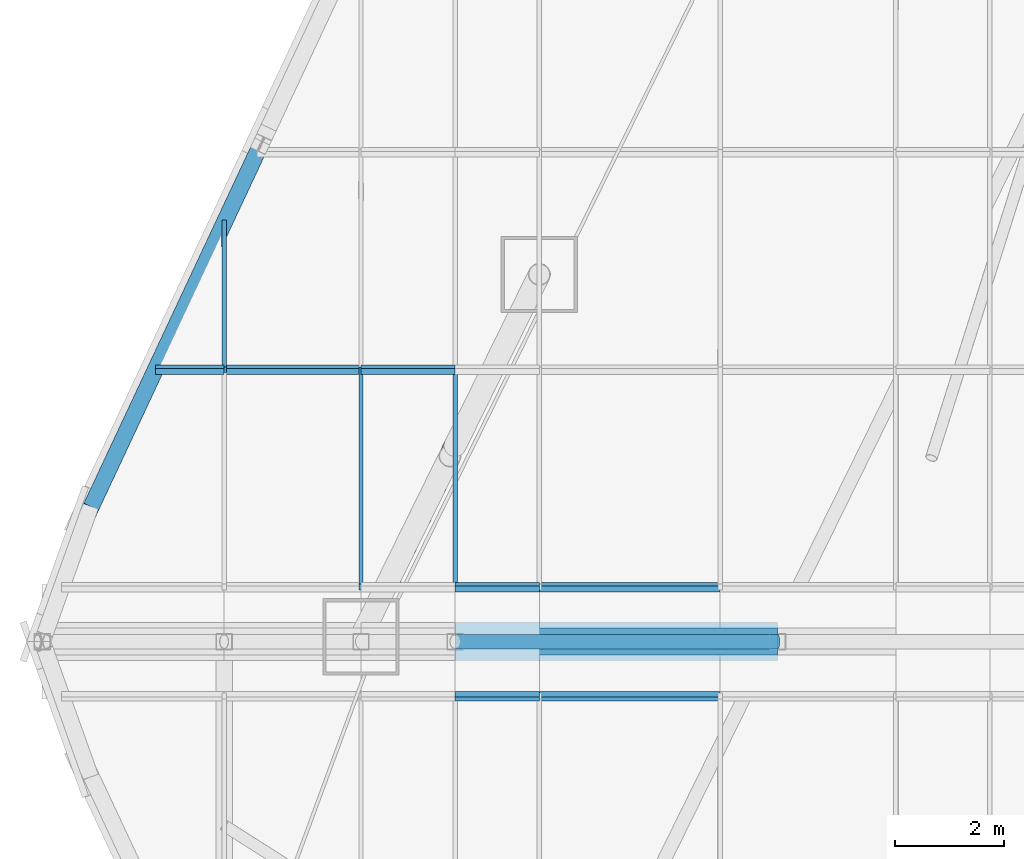
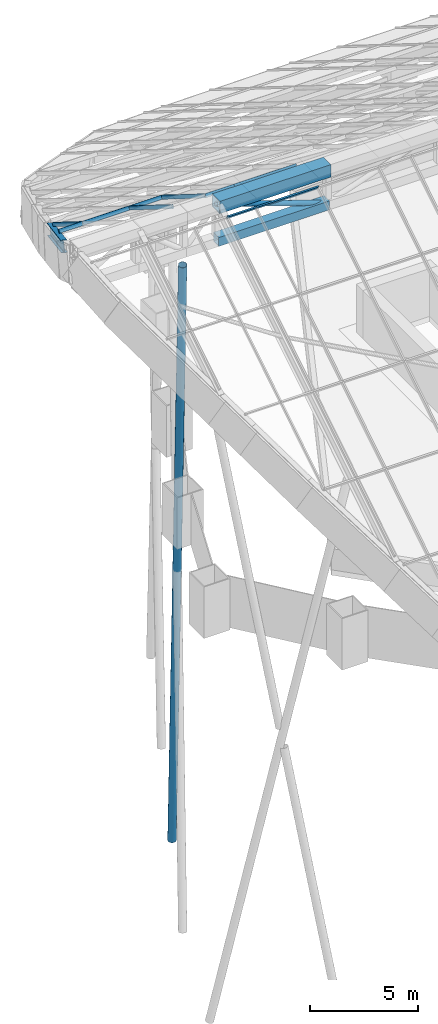
# One storey, part 11 of 38: 15 members, 8 elements without a shape of their own.
"""IFC4 building model written with IfcOpenShell, lengths in metres."""

from ifc_helpers import new_model, si_unit, direction, frame, origin, origin_2d, place, context, subcontext, project, spatial, rectangle, hollow_rectangle, hollow_circle, i_section, extrude, material, layer, layer_set, material_profile, profile_set, type_object, element, aggregate, save


model = new_model("IFC4")

# Units and contexts
model_context = context("Model", 3, precision=1e-05, world=origin(), true_north=direction((0.0, 1.0)))
body_context = subcontext(model_context, "Body", "Model", "MODEL_VIEW")
ifc_project = project(units=[si_unit("LENGTHUNIT", "METRE"), si_unit("AREAUNIT", "SQUARE_METRE"), si_unit("VOLUMEUNIT", "CUBIC_METRE"), si_unit("PLANEANGLEUNIT", "RADIAN"), si_unit("MASSUNIT", "GRAM", prefix="KILO")], contexts=[model_context])

# Site, building, storey
site_placement = place(None, origin())
site = spatial("IfcSite", under=ifc_project, at=site_placement, CompositionType="ELEMENT")
building_placement = place(site_placement, origin())
building = spatial("IfcBuilding", under=site, at=building_placement, Name="Dongbaek Canopy Tower", CompositionType="ELEMENT")
storey_placement = place(building_placement, frame((0.0, 0.0, 375.800048828125)))
storey = spatial("IfcBuildingStorey", under=building, at=storey_placement, Name="Roof", CompositionType="ELEMENT", Elevation=375.800048828125)

# Member
ifc_material_1 = material(Name="Steel S355", Category="steel")
ifc_material_profile_1 = material_profile(ifc_material_1, hollow_circle(Radius=0.203125, WallThickness=0.0126953125, at=origin_2d()), Name="COLONNADE BRACE CHS 406.4x12.7 Steel S355")
ifc_profile_set_1 = profile_set([ifc_material_profile_1], Name="Steel S355")
member_type_1 = type_object("IfcMemberType", Name="COLONNADE BRACE CHS 406.4x12.7 Steel S355", PredefinedType="BRACE", material=ifc_profile_set_1)
member_1_placement = place(storey_placement, frame((-25.346923828125, 6.735107421875, -22.199951171875), z_axis=(-0.08537852158, -0.173606393551, 0.981107195046), x_axis=(0.897353388577, -0.441312696406, 0.0)))
element("IfcMember", 1, at=member_1_placement, inside=storey, type_object=member_type_1, Name="XBRACE:24:0", PredefinedType="BRACE", context=body_context, shape_type="SweptSolid", body=[
    extrude(hollow_circle(Radius=0.203125, WallThickness=0.0126953125, at=origin_2d()), origin(), (0.0, 0.0, 1.0), 38.30029296875),
])

# Curtain wall, member
ifc_material_2 = material(Name="Aluminium 6063-T6 pale anodised", Category="aluminium")
ifc_layer = layer(ifc_material_2, 0.199951171875)
ifc_layer_set = layer_set([ifc_layer], Name="CW-6 canopy glazing curtain wall")
curtain_wall_type = type_object("IfcCurtainWallType", Name="CW-6 canopy glazing curtain wall", PredefinedType="NOTDEFINED", material=ifc_layer_set)
curtain_wall_1_placement = place(storey_placement, origin())
curtain_wall_1 = element("IfcCurtainWall", 2, at=curtain_wall_1_placement, inside=storey, type_object=curtain_wall_type, Name="CW-6 canopy glazing north 1.2", PredefinedType="NOTDEFINED")
ifc_material_3 = material(Name="Aluminium 6063-T6 pale anodised", Category="aluminium")
ifc_material_profile_2 = material_profile(ifc_material_3, rectangle(XDim=0.080078125, YDim=0.199951171875, at=origin_2d()), Name="CW-6 mullion 80 x 200")
ifc_profile_set_2 = profile_set([ifc_material_profile_2], Name="Aluminium 6063-T6 pale anodised")
member_type_2 = type_object("IfcMemberType", Name="CW-6 mullion 80 x 200", PredefinedType="MULLION", material=ifc_profile_set_2)
member_2_placement = place(storey_placement, frame((-31.12890625, 4.986328125, 15.60791015625), z_axis=(0.0, 0.848045809732, -0.52992292326), x_axis=(-1.0, 0.0, 0.0)))
member_2 = element("IfcMember", 3, at=member_2_placement, type_object=member_type_2, Name="CW-6 mullion N1.2.-31.1", PredefinedType="MULLION", context=body_context, shape_type="SweptSolid", body=[
    extrude(rectangle(XDim=0.080078125, YDim=0.199951171875, at=origin_2d()), origin(), (0.0, 0.0, 1.0), 3.17578125),
])
aggregate(curtain_wall_1, [member_2])

curtain_wall_2_placement = place(storey_placement, origin())
curtain_wall_2 = element("IfcCurtainWall", 4, at=curtain_wall_2_placement, inside=storey, type_object=curtain_wall_type, Name="CW-6 canopy glazing north 2.1", PredefinedType="NOTDEFINED")
member_3_placement = place(storey_placement, frame((-28.616943359375, 1.0, 18.0986328125), z_axis=(0.0, 0.848068327403, -0.529886886095), x_axis=(-1.0, 0.0, 0.0)))
member_3 = element("IfcMember", 5, at=member_3_placement, type_object=member_type_2, Name="CW-6 mullion N2.1.-28.6", PredefinedType="MULLION", context=body_context, shape_type="SweptSolid", body=[
    extrude(rectangle(XDim=0.080078125, YDim=0.199951171875, at=origin_2d()), origin(), (0.0, 0.0, 1.0), 4.700439453125),
])

curtain_wall_3_placement = place(storey_placement, origin())
curtain_wall_3 = element("IfcCurtainWall", 6, at=curtain_wall_3_placement, inside=storey, type_object=curtain_wall_type, Name="CW-6 canopy glazing north 3.1", PredefinedType="NOTDEFINED")
member_4_placement = place(storey_placement, frame((-26.888916015625, 1.0, 18.0986328125), z_axis=(0.0, 0.848068327403, -0.529886886095), x_axis=(-1.0, 0.0, 0.0)))
member_4 = element("IfcMember", 7, at=member_4_placement, type_object=member_type_2, Name="CW-6 mullion N3.1.-26.9", PredefinedType="MULLION", context=body_context, shape_type="SweptSolid", body=[
    extrude(rectangle(XDim=0.080078125, YDim=0.199951171875, at=origin_2d()), origin(), (0.0, 0.0, 1.0), 4.700439453125),
])

curtain_wall_4_placement = place(storey_placement, origin())
curtain_wall_4 = element("IfcCurtainWall", 8, at=curtain_wall_4_placement, inside=storey, type_object=curtain_wall_type, Name="CW-6 canopy glazing north 1.1", PredefinedType="NOTDEFINED")
ifc_material_4 = material(Name="Aluminium 6063-T6 pale anodised", Category="aluminium")
ifc_material_profile_3 = material_profile(ifc_material_4, rectangle(XDim=0.080078125, YDim=0.199951171875, at=origin_2d()), Name="CW-6 transom 80 x 200")
ifc_profile_set_3 = profile_set([ifc_material_profile_3], Name="Aluminium 6063-T6 pale anodised")
member_type_3 = type_object("IfcMemberType", Name="CW-6 transom 80 x 200", PredefinedType="USERDEFINED", material=ifc_profile_set_3)
member_5_placement = place(storey_placement, frame((-32.389892578125, 4.986328125, 15.60791015625), z_axis=(1.0, 0.0, 0.0), x_axis=(0.0, 0.848048096156, -0.529919264233)))
member_5 = element("IfcMember", 9, at=member_5_placement, type_object=member_type_3, Name="CW-6 transom N1.1.2", ObjectType="TRANSOM", PredefinedType="USERDEFINED", context=body_context, shape_type="SweptSolid", body=[
    extrude(rectangle(XDim=0.080078125, YDim=0.199951171875, at=origin_2d()), origin(), (0.0, 0.0, 1.0), 1.260986328125),
])
aggregate(curtain_wall_4, [member_5])

# Member
member_6_placement = place(storey_placement, frame((-31.12890625, 4.986328125, 15.60791015625), z_axis=(1.0, 0.0, 0.0), x_axis=(0.0, 0.848048096156, -0.529919264233)))
member_6 = element("IfcMember", 10, at=member_6_placement, type_object=member_type_3, Name="CW-6 transom N2.1.2", ObjectType="TRANSOM", PredefinedType="USERDEFINED", context=body_context, shape_type="SweptSolid", body=[
    extrude(rectangle(XDim=0.080078125, YDim=0.199951171875, at=origin_2d()), origin(), (0.0, 0.0, 1.0), 2.511962890625),
])

aggregate(curtain_wall_2, [member_3, member_6])

member_7_placement = place(storey_placement, frame((-28.616943359375, 4.986328125, 15.60791015625), z_axis=(1.0, 0.0, 0.0), x_axis=(0.0, 0.848048096156, -0.529919264233)))
member_7 = element("IfcMember", 11, at=member_7_placement, type_object=member_type_3, Name="CW-6 transom N3.1.2", ObjectType="TRANSOM", PredefinedType="USERDEFINED", context=body_context, shape_type="SweptSolid", body=[
    extrude(rectangle(XDim=0.080078125, YDim=0.199951171875, at=origin_2d()), origin(), (0.0, 0.0, 1.0), 1.72802734375),
])

aggregate(curtain_wall_3, [member_4, member_7])

# Curtain wall, member
curtain_wall_5_placement = place(storey_placement, origin())
curtain_wall_5 = element("IfcCurtainWall", 12, at=curtain_wall_5_placement, inside=storey, type_object=curtain_wall_type, Name="CW-6 canopy glazing north 4.1", PredefinedType="NOTDEFINED")
member_8_placement = place(storey_placement, frame((-26.888916015625, 1.0, 18.0986328125), z_axis=(1.0, 0.0, 0.0), x_axis=(0.0, 0.848048096156, -0.529919264233)))
member_8 = element("IfcMember", 13, at=member_8_placement, type_object=member_type_3, Name="CW-6 transom N4.1.1", ObjectType="TRANSOM", PredefinedType="USERDEFINED", context=body_context, shape_type="SweptSolid", body=[
    extrude(rectangle(XDim=0.080078125, YDim=0.199951171875, at=origin_2d()), origin(), (0.0, 0.0, 1.0), 1.5419921875),
])
aggregate(curtain_wall_5, [member_8])

curtain_wall_6_placement = place(storey_placement, origin())
curtain_wall_6 = element("IfcCurtainWall", 14, at=curtain_wall_6_placement, inside=storey, type_object=curtain_wall_type, Name="CW-6 canopy glazing north 5.1", PredefinedType="NOTDEFINED")
member_9_placement = place(storey_placement, frame((-25.346923828125, 1.0, 18.0986328125), z_axis=(1.0, 0.0, 0.0), x_axis=(0.0, 0.848048096156, -0.529919264233)))
member_9 = element("IfcMember", 15, at=member_9_placement, type_object=member_type_3, Name="CW-6 transom N5.1.1", ObjectType="TRANSOM", PredefinedType="USERDEFINED", context=body_context, shape_type="SweptSolid", body=[
    extrude(rectangle(XDim=0.080078125, YDim=0.199951171875, at=origin_2d()), origin(), (0.0, 0.0, 1.0), 3.31591796875),
])
aggregate(curtain_wall_6, [member_9])

curtain_wall_7_placement = place(storey_placement, origin())
curtain_wall_7 = element("IfcCurtainWall", 16, at=curtain_wall_7_placement, inside=storey, type_object=curtain_wall_type, Name="CW-6 canopy glazing south 4.1", PredefinedType="NOTDEFINED")
member_10_placement = place(storey_placement, frame((-26.888916015625, -1.0, 18.0986328125), z_axis=(1.0, 0.0, 0.0), x_axis=(0.0, 0.848048096156, 0.529919264233)))
member_10 = element("IfcMember", 17, at=member_10_placement, type_object=member_type_3, Name="CW-6 transom S4.1.1", ObjectType="TRANSOM", PredefinedType="USERDEFINED", context=body_context, shape_type="SweptSolid", body=[
    extrude(rectangle(XDim=0.080078125, YDim=0.199951171875, at=origin_2d()), origin(), (0.0, 0.0, 1.0), 1.5419921875),
])
aggregate(curtain_wall_7, [member_10])

curtain_wall_8_placement = place(storey_placement, origin())
curtain_wall_8 = element("IfcCurtainWall", 18, at=curtain_wall_8_placement, inside=storey, type_object=curtain_wall_type, Name="CW-6 canopy glazing south 5.1", PredefinedType="NOTDEFINED")
member_11_placement = place(storey_placement, frame((-25.346923828125, -1.0, 18.0986328125), z_axis=(1.0, 0.0, 0.0), x_axis=(0.0, 0.848048096156, 0.529919264233)))
member_11 = element("IfcMember", 19, at=member_11_placement, type_object=member_type_3, Name="CW-6 transom S5.1.1", ObjectType="TRANSOM", PredefinedType="USERDEFINED", context=body_context, shape_type="SweptSolid", body=[
    extrude(rectangle(XDim=0.080078125, YDim=0.199951171875, at=origin_2d()), origin(), (0.0, 0.0, 1.0), 3.31591796875),
])
aggregate(curtain_wall_8, [member_11])

# Members
ifc_material_5 = material(Name="Steel S355", Category="steel")
ifc_material_profile_4 = material_profile(ifc_material_5, i_section(OverallWidth=0.300048828125, OverallDepth=0.587890625, WebThickness=0.011962890625, FlangeThickness=0.02001953125, FilletRadius=0.028076171875, at=origin_2d()), Name="EAVES BEAM H 588x300x12x20 Steel S355")
ifc_profile_set_4 = profile_set([ifc_material_profile_4], Name="Steel S355")
member_type_4 = type_object("IfcMemberType", Name="EAVES BEAM H 588x300x12x20 Steel S355", PredefinedType="MEMBER", material=ifc_profile_set_4)
member_12_placement = place(storey_placement, frame((-30.451904296875, 9.12548828125, 12.549560546875), z_axis=(-0.369021196262, -0.788198409973, 0.492510531081), x_axis=(0.905656138508, -0.424012922895, 0.0)))
element("IfcMember", 20, at=member_12_placement, inside=storey, type_object=member_type_4, Name="EAVE:60", PredefinedType="MEMBER", context=body_context, shape_type="SweptSolid", body=[
    extrude(i_section(OverallWidth=0.300048828125, OverallDepth=0.587890625, WebThickness=0.011962890625, FlangeThickness=0.02001953125, FilletRadius=0.028076171875, at=origin_2d()), origin(), (0.0, 0.0, 1.0), 8.60595703125),
])
ifc_material_6 = material(Name="Steel S355", Category="steel")
ifc_material_profile_5 = material_profile(ifc_material_6, hollow_rectangle(XDim=0.699951171875, YDim=0.699951171875, WallThickness=0.035888671875, at=origin_2d()), Name="RIDGE BEAM BOX 700x700x36 Steel S355")
ifc_profile_set_5 = profile_set([ifc_material_profile_5], Name="Steel S355")
member_type_5 = type_object("IfcMemberType", Name="RIDGE BEAM BOX 700x700x36 Steel S355", PredefinedType="MEMBER", material=ifc_profile_set_5)
member_13_placement = place(storey_placement, frame((-26.888916015625, 0.0, 18.251708984375), z_axis=(1.0, 0.0, 0.0), x_axis=(0.0, 1.0, 0.0)))
element("IfcMember", 21, at=member_13_placement, inside=storey, type_object=member_type_5, Name="RIDGE:03", PredefinedType="MEMBER", context=body_context, shape_type="SweptSolid", body=[
    extrude(hollow_rectangle(XDim=0.699951171875, YDim=0.699951171875, WallThickness=0.035888671875, at=origin_2d()), origin(), (0.0, 0.0, 1.0), 5.913330078125),
])
ifc_material_7 = material(Name="Steel S355", Category="steel")
ifc_material_profile_6 = material_profile(ifc_material_7, hollow_circle(Radius=0.1337890625, WallThickness=0.00927734375, at=origin_2d()), Name="RIDGE BRACE CHS 267.4x9.3 Steel S355")
ifc_profile_set_6 = profile_set([ifc_material_profile_6], Name="Steel S355")
member_type_6 = type_object("IfcMemberType", Name="RIDGE BRACE CHS 267.4x9.3 Steel S355", PredefinedType="BRACE", material=ifc_profile_set_6)
member_14_placement = place(storey_placement, frame((-26.888916015625, 0.0, 18.251708984375), z_axis=(0.947285745655, 0.0, -0.320389943785), x_axis=(0.0, 1.0, 0.0)))
element("IfcMember", 22, at=member_14_placement, inside=storey, type_object=member_type_6, Name="RIDGEBRACE:03", PredefinedType="BRACE", context=body_context, shape_type="SweptSolid", body=[
    extrude(hollow_circle(Radius=0.1337890625, WallThickness=0.00927734375, at=origin_2d()), origin(), (0.0, 0.0, 1.0), 6.242431640625),
])
ifc_material_8 = material(Name="Steel S355", Category="steel")
ifc_material_profile_7 = material_profile(ifc_material_8, hollow_rectangle(XDim=0.5, YDim=0.5, WallThickness=0.030029296875, at=origin_2d()), Name="RIDGE LOWER CHORD BOX 500x500x30 Steel S355")
ifc_profile_set_7 = profile_set([ifc_material_profile_7], Name="Steel S355")
member_type_7 = type_object("IfcMemberType", Name="RIDGE LOWER CHORD BOX 500x500x30 Steel S355", PredefinedType="CHORD", material=ifc_profile_set_7)
member_15_placement = place(storey_placement, frame((-26.888916015625, 0.0, 16.251708984375), z_axis=(1.0, 0.0, 0.0), x_axis=(0.0, 1.0, 0.0)))
element("IfcMember", 23, at=member_15_placement, inside=storey, type_object=member_type_7, Name="RIDGELOW:03", PredefinedType="CHORD", context=body_context, shape_type="SweptSolid", body=[
    extrude(hollow_rectangle(XDim=0.5, YDim=0.5, WallThickness=0.030029296875, at=origin_2d()), origin(), (0.0, 0.0, 1.0), 5.913330078125),
])

save(model, "model.ifc")
